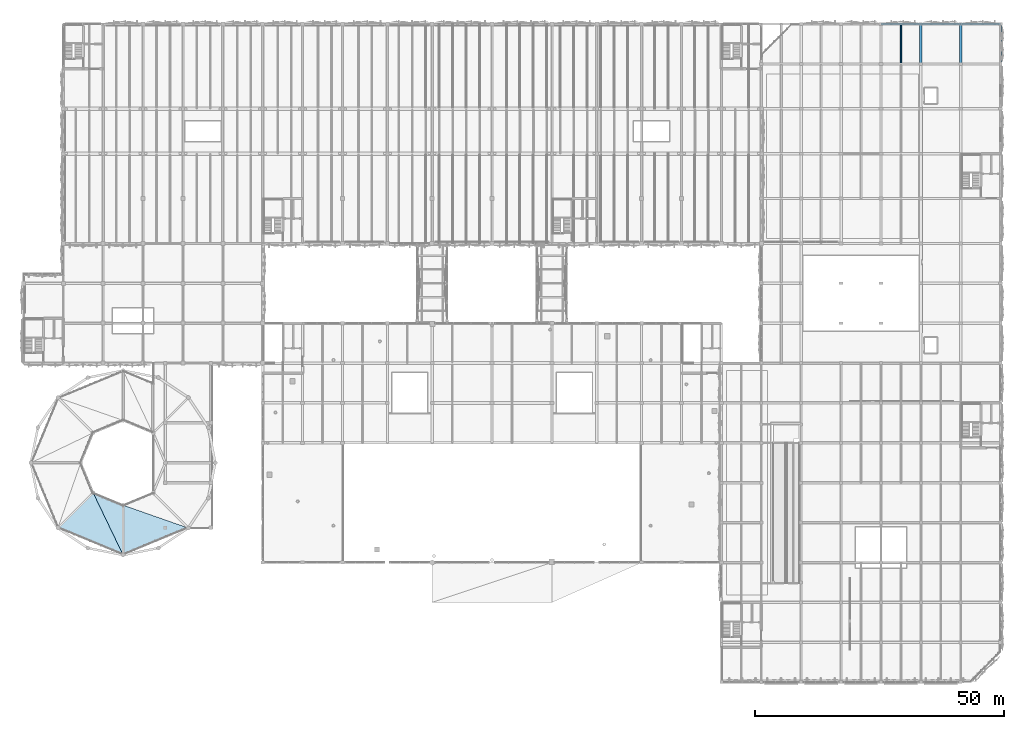
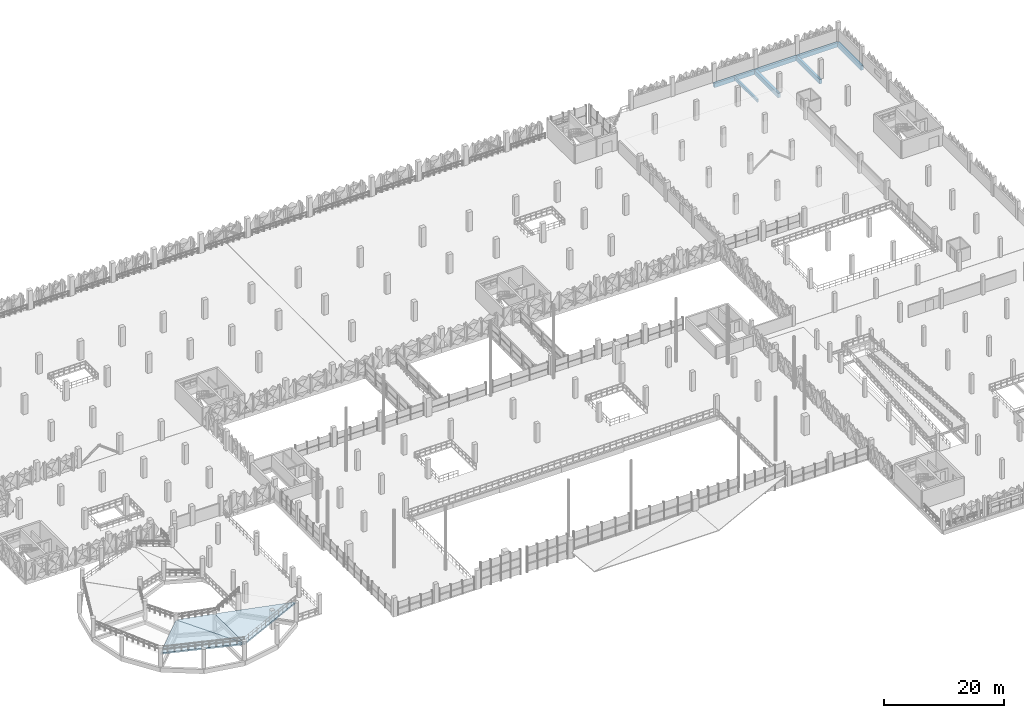
# One storey, part 59 of 123: 7 beams, 3 slabs.
"""IFC4 building model written with IfcOpenShell, lengths in metres."""

from ifc_helpers import new_model, si_unit, derived_unit, direction, frame, origin, origin_2d, place, context, subcontext, project, spatial, polyline, rectangle, outline, extrude, material, layer, layer_set, material_profile, profile_set, type_object, element, save


model = new_model("IFC4")

# Units and contexts
model_context = context("Model", 3, precision=1e-05, world=origin(), true_north=direction((0.0, 1.0)))
body_context = subcontext(model_context, "Body", "Model", "MODEL_VIEW")
ifc_project = project(units=[si_unit("LENGTHUNIT", "METRE"), si_unit("AREAUNIT", "SQUARE_METRE"), si_unit("VOLUMEUNIT", "CUBIC_METRE"), si_unit("PLANEANGLEUNIT", "RADIAN"), si_unit("MASSUNIT", "GRAM", prefix="KILO"), si_unit("THERMODYNAMICTEMPERATUREUNIT", "KELVIN"), derived_unit("THERMALTRANSMITTANCEUNIT", [(si_unit("POWERUNIT", "WATT"), 1), (si_unit("AREAUNIT", "SQUARE_METRE"), -1), (si_unit("THERMODYNAMICTEMPERATUREUNIT", "KELVIN"), -1)])], contexts=[model_context])

# Site, building, storey
site_placement = place(None, origin())
site = spatial("IfcSite", under=ifc_project, at=site_placement, CompositionType="ELEMENT")
building_placement = place(site_placement, origin())
building = spatial("IfcBuilding", under=site, at=building_placement, Name="Haiyu Intermodal Mobility Hub", CompositionType="ELEMENT")
storey_placement = place(building_placement, frame((0.0, 0.0, 5.60009765625)))
storey = spatial("IfcBuildingStorey", under=building, at=storey_placement, Name="L01", CompositionType="ELEMENT", Elevation=5.60009765625)

# Beams
ifc_material = material(Name="Concrete C40", Category="concrete")
ifc_material_profile_1 = material_profile(ifc_material, rectangle(XDim=0.449951171875, YDim=0.85009765625, at=origin_2d()), Name="RCB450x850")
ifc_profile_set_1 = profile_set([ifc_material_profile_1], Name="Concrete C40")
beam_type_1 = type_object("IfcBeamType", Name="BM-CB02-EXT", PredefinedType="BEAM", material=ifc_profile_set_1)
for number, where, z_axis, x_axis, name in (
    (1, (186.0, 148.0, -0.68505859375), (1.0, 0.0, 0.0), (0.0, 1.0, 0.0), "BM-V6G-L01-052"),
    (2, (194.0, 148.0, -0.68505859375), (1.0, 0.0, 0.0), (0.0, 1.0, 0.0), "BM-V6G-L01-053"),
    (3, (202.0, 148.0, -0.68505859375), (1.0, 0.0, 0.0), (0.0, 1.0, 0.0), "BM-V6G-L01-054"),
):
    element("IfcBeam", number, at=place(storey_placement, frame(where, z_axis=z_axis, x_axis=x_axis)), inside=storey, type_object=beam_type_1, Name=name, PredefinedType="BEAM", context=body_context, shape_type="SweptSolid", body=[
        extrude(rectangle(XDim=0.449951171875, YDim=0.85009765625, at=origin_2d()), origin(), (0.0, 0.0, 1.0), 8.0),
    ])
ifc_material_profile_2 = material_profile(ifc_material, rectangle(XDim=0.47998046875, YDim=0.919921875, at=origin_2d()), Name="B480x920")
ifc_profile_set_2 = profile_set([ifc_material_profile_2], Name="Concrete C40")
beam_type_2 = type_object("IfcBeamType", Name="BM-CB13", PredefinedType="BEAM", material=ifc_profile_set_2)
for number, where, z_axis, x_axis, name in (
    (4, (194.0, 140.0, -0.72021484375), (0.0, 1.0, 0.0), (-1.0, 0.0, 0.0), "BM-V6T-L01-040"),
    (5, (202.0, 140.0, -0.72021484375), (0.0, 1.0, 0.0), (-1.0, 0.0, 0.0), "BM-V6T-L01-048"),
):
    element("IfcBeam", number, at=place(storey_placement, frame(where, z_axis=z_axis, x_axis=x_axis)), inside=storey, type_object=beam_type_2, Name=name, PredefinedType="BEAM", context=body_context, shape_type="SweptSolid", body=[
        extrude(rectangle(XDim=0.47998046875, YDim=0.919921875, at=origin_2d()), origin(), (0.0, 0.0, 1.0), 8.0),
    ])
ifc_material_profile_3 = material_profile(ifc_material, rectangle(XDim=0.47998046875, YDim=0.919921875, at=origin_2d()), Name="B480x920")
ifc_profile_set_3 = profile_set([ifc_material_profile_3], Name="Concrete C40")
beam_type_3 = type_object("IfcBeamType", Name="BM-CB13-EXT", PredefinedType="BEAM", material=ifc_profile_set_3)
beam_1_placement = place(storey_placement, frame((210.0, 140.0, -0.72021484375), z_axis=(0.0, 1.0, 0.0), x_axis=(-1.0, 0.0, 0.0)))
element("IfcBeam", 6, at=beam_1_placement, inside=storey, type_object=beam_type_3, Name="BM-V6T-L01-056", PredefinedType="BEAM", context=body_context, shape_type="SweptSolid", body=[
    extrude(rectangle(XDim=0.47998046875, YDim=0.919921875, at=origin_2d()), origin(), (0.0, 0.0, 1.0), 8.0),
])
ifc_material_profile_4 = material_profile(ifc_material, rectangle(XDim=0.320068359375, YDim=0.580078125, at=origin_2d()), Name="B320x580")
ifc_profile_set_4 = profile_set([ifc_material_profile_4], Name="Concrete C40")
beam_type_4 = type_object("IfcBeamType", Name="BM-CB17", PredefinedType="JOIST", material=ifc_profile_set_4)
beam_2_placement = place(storey_placement, frame((190.0, 140.195068359375, -0.550048828125), z_axis=(0.0, 1.0, 0.0), x_axis=(-1.0, 0.0, 0.0)))
element("IfcBeam", 7, at=beam_2_placement, inside=storey, type_object=beam_type_4, Name="BM-V6J-L01-030", PredefinedType="JOIST", context=body_context, shape_type="SweptSolid", body=[
    extrude(rectangle(XDim=0.320068359375, YDim=0.580078125, at=origin_2d()), origin(), (0.0, 0.0, 1.0), 7.804931640625),
])

# Slabs
ifc_layer = layer(ifc_material, 0.280029296875)
ifc_layer_set = layer_set([ifc_layer], Name="Concrete C40")
slab_type = type_object("IfcSlabType", Name="SLB-SL16", PredefinedType="USERDEFINED", material=ifc_layer_set)
slab_1_placement = place(storey_placement, frame((27.989990234375, 53.989990234375, 2.599853515625), z_axis=(-0.035099730578, 0.035099730578, 0.998767249076), x_axis=(-0.707106781187, -0.707106781187, 0.0)))
element("IfcSlab", 8, at=slab_1_placement, inside=storey, type_object=slab_type, Name="Structural Vehicle Ramp Slab L01-05-1", ObjectType="RAMP DECK", PredefinedType="USERDEFINED", context=body_context, shape_type="SweptSolid", body=[
    extrude(outline(polyline([(0.0, 0.0), (9.999967628665027, 0.0), (4.582038131409509, 13.097621557028786), (0.0, 0.0)])), origin(), (0.0, 0.0, -1.0), 0.280029296875),
])
slab_2_placement = place(storey_placement, frame((27.989990234375, 53.989990234375, 2.599853515625), z_axis=(-0.107549814878, 0.0, 0.994199696902), x_axis=(0.433123329404, -0.900116033999, 0.046854101889)))
element("IfcSlab", 9, at=slab_2_placement, inside=storey, type_object=slab_type, Name="Structural Vehicle Ramp Slab L01-05-2", ObjectType="RAMP DECK", PredefinedType="USERDEFINED", context=body_context, shape_type="SweptSolid", body=[
    extrude(outline(polyline([(0.0, 0.0), (13.87597794351216, 8.326672684688674e-17), (4.874817603519826, 4.356502327986193), (0.0, 0.0)])), origin(), (0.0, 0.0, -1.0), 0.280029296875),
])
slab_3_placement = place(storey_placement, frame((34.0, 51.5, 3.25), z_axis=(-0.049621512991, 0.0, 0.998768093928), x_axis=(0.0, -1.0, 0.0)))
element("IfcSlab", 10, at=slab_3_placement, inside=storey, type_object=slab_type, Name="Structural Vehicle Ramp Slab L01-06-1", ObjectType="RAMP DECK", PredefinedType="USERDEFINED", context=body_context, shape_type="SweptSolid", body=[
    extrude(outline(polyline([(0.0, 0.0), (10.0, 0.0), (4.5810546875, 13.097189194395012), (0.0, 0.0)])), origin(), (0.0, 0.0, -1.0), 0.280029296875),
])

save(model, "model.ifc")
